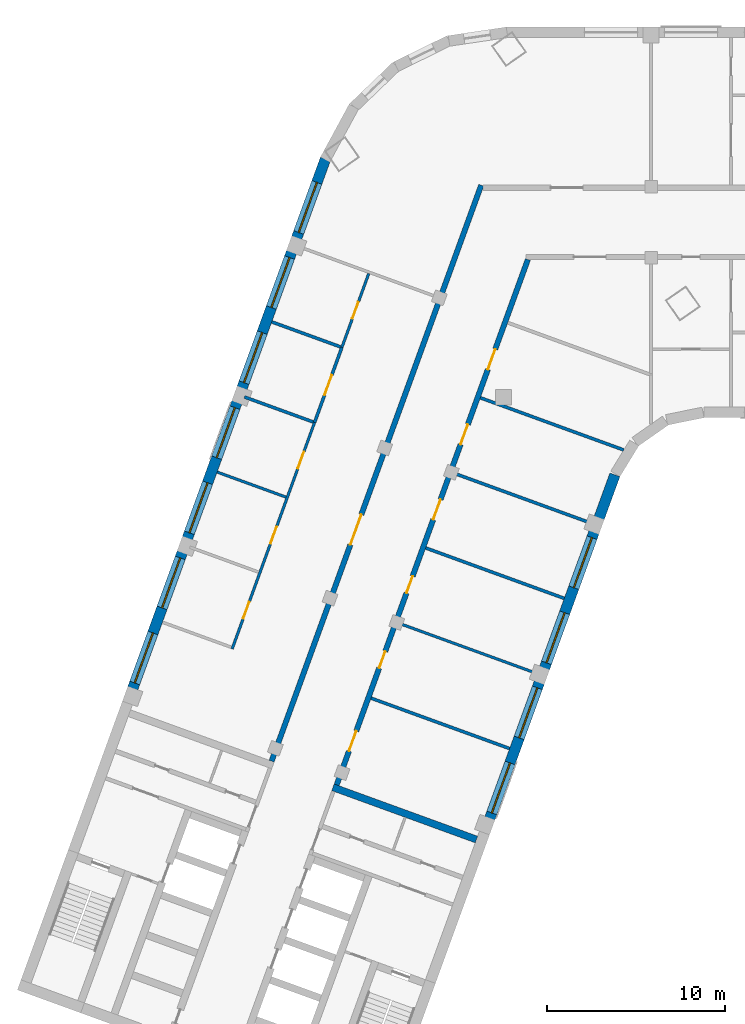
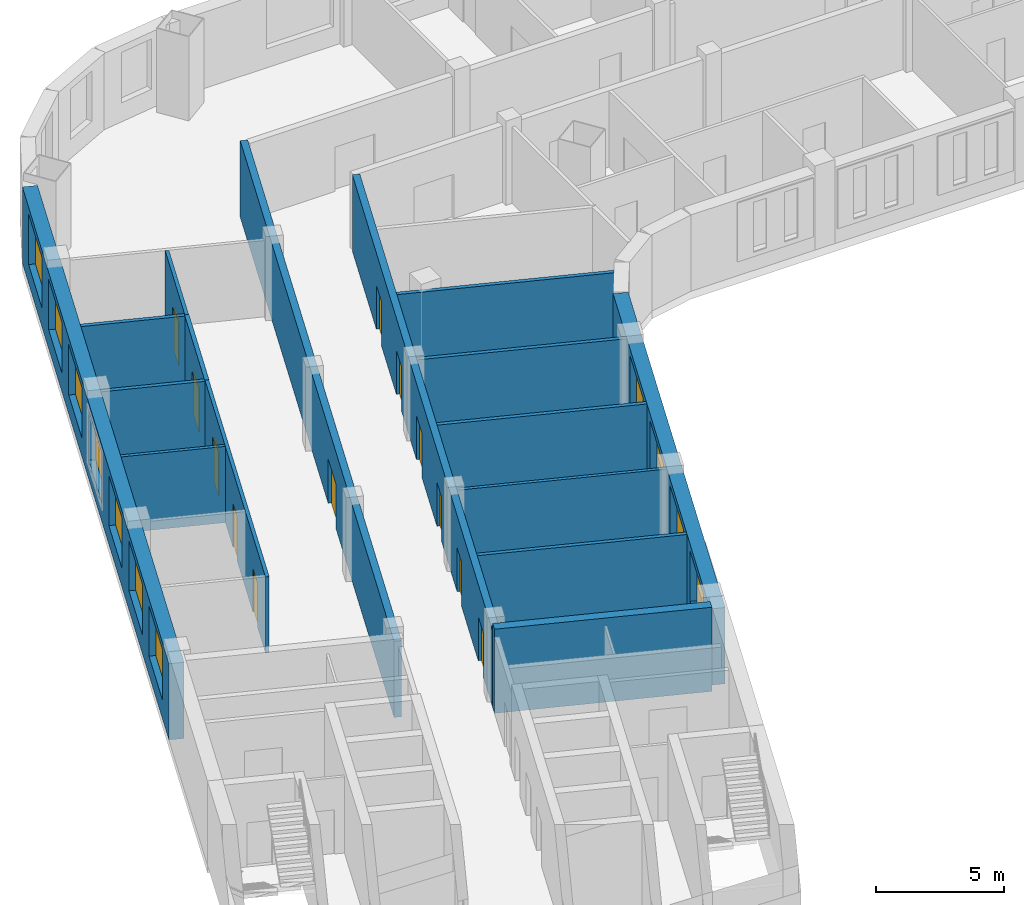
# One storey, part 3 of 12: 16 walls, 12 doors, 11 windows, 23 openings.
"""IFC4 building model written with IfcOpenShell, lengths in metres."""

import ifcopenshell
import ifcopenshell.guid

model = None  # the IFC model being written
_history = None  # IfcOwnerHistory: only IFC2X3 demands one
_inside = {}  # id of a spatial element -> (the spatial element, [elements in it])
_under = {}  # id of a project, library or spatial element -> (it, [spatial elements below it])
_declared = {}  # id of a project -> (the project, [libraries it declares])
_typed = {}  # id of a type object -> (the type object, [elements of that type])
_made_of = {}  # id of a material, layer set ... -> (it, [elements and type objects made of it])


def new_model(schema):
    """Start an empty IFC model of exactly this schema.

    Asked for "IFC4X3", IfcOpenShell would pick the latest addendum, in which some entities
    have other attributes; the version numbers below select the first issue.
    IFC2X3 requires an IfcOwnerHistory on every rooted entity: one is made here for all.
    """
    global model, _history
    if schema == "IFC4X3":
        model = ifcopenshell.file(schema_version=(4, 3, 0, 0))
    else:
        model = ifcopenshell.file(schema=schema)
    _inside.clear()
    _under.clear()
    _declared.clear()
    _typed.clear()
    _made_of.clear()
    _history = None
    if model.schema == "IFC2X3":
        org = make("IfcOrganization", Name="unknown")
        user = make(
            "IfcPersonAndOrganization",
            ThePerson=make("IfcPerson", FamilyName="unknown"),
            TheOrganization=org,
        )
        app = make(
            "IfcApplication",
            ApplicationDeveloper=org,
            Version="unknown",
            ApplicationFullName="unknown",
            ApplicationIdentifier="unknown",
        )
        _history = make(
            "IfcOwnerHistory",
            OwningUser=user,
            OwningApplication=app,
            ChangeAction="ADDED",
            CreationDate=0,
        )
    return model


def make(cls, **values):
    """One entity of the class cls with the attributes given. An attribute that is None is left unset."""
    return model.create_entity(
        cls, **{name: value for name, value in values.items() if value is not None}
    )


def rooted(cls, **values):
    """An entity with a GlobalId (a new one), such as an element, a storey or a relation."""
    return make(cls, GlobalId=ifcopenshell.guid.new(), OwnerHistory=_history, **values)


def si_unit(unit_type, name, prefix=None):
    """IfcSIUnit, for example si_unit("LENGTHUNIT", "METRE", prefix="MILLI")."""
    return make("IfcSIUnit", UnitType=unit_type, Prefix=prefix, Name=name)


def assignment(units):
    """IfcUnitAssignment: the units of a project."""
    return None if units is None else make("IfcUnitAssignment", Units=units)


def point(xyz):
    """IfcCartesianPoint."""
    return None if xyz is None else make("IfcCartesianPoint", Coordinates=xyz)


def direction(xyz):
    """IfcDirection."""
    return None if xyz is None else make("IfcDirection", DirectionRatios=xyz)


def frame(location, z_axis=None, x_axis=None):
    """IfcAxis2Placement3D, a coordinate frame: its origin and axes. An axis left out is left unset."""
    return make(
        "IfcAxis2Placement3D",
        Location=point(location),
        Axis=direction(z_axis),
        RefDirection=direction(x_axis),
    )


def frame_2d(location, x_axis=None):
    """IfcAxis2Placement2D, a coordinate frame in the plane: its origin and x axis."""
    return make(
        "IfcAxis2Placement2D", Location=point(location), RefDirection=direction(x_axis)
    )


def origin():
    """The frame at (0, 0, 0) with its axes left unset."""
    return frame((0.0, 0.0, 0.0))


def place(relative_to, where):
    """IfcLocalPlacement: puts the frame where relative to a parent placement (None: the world)."""
    return make(
        "IfcLocalPlacement", PlacementRelTo=relative_to, RelativePlacement=where
    )


def context(
    kind, dimensions, precision=None, world=None, true_north=None, identifier=None
):
    """IfcGeometricRepresentationContext, for example the 3D "Model" context."""
    return make(
        "IfcGeometricRepresentationContext",
        ContextIdentifier=identifier,
        ContextType=kind,
        CoordinateSpaceDimension=dimensions,
        Precision=precision,
        WorldCoordinateSystem=world,
        TrueNorth=true_north,
    )


def subcontext(parent, identifier, kind, view, scale=None):
    """IfcGeometricRepresentationSubContext, for example "Body" below "Model"."""
    return make(
        "IfcGeometricRepresentationSubContext",
        ContextIdentifier=identifier,
        ContextType=kind,
        ParentContext=parent,
        TargetScale=scale,
        TargetView=view,
    )


def project(units=None, contexts=None):
    """IfcProject with its units and contexts."""
    return rooted(
        "IfcProject",
        Name="project",
        RepresentationContexts=contexts,
        UnitsInContext=assignment(units),
    )


def spatial(cls, under=None, at=None, **own):
    """A site, building, storey or space (cls), placed at a placement, below another one or the project."""
    s = rooted(cls, ObjectPlacement=at, **own)
    if under is not None:
        _under.setdefault(under.id(), (under, []))[1].append(s)
    return s


def profile(cls, at=None, kind="AREA", **sizes):
    """A parametric profile (cls). Its sizes go by their IFC names, for example OverallWidth=200.0."""
    return make(cls, ProfileType=kind, Position=at, **sizes)


def rectangle(**sizes):
    """IfcRectangleProfileDef."""
    return profile("IfcRectangleProfileDef", **sizes)


def extrude(swept, where, along, depth):
    """IfcExtrudedAreaSolid: the profile swept, set in the frame where, extruded along a direction by depth."""
    return make(
        "IfcExtrudedAreaSolid",
        SweptArea=swept,
        Position=where,
        ExtrudedDirection=direction(along),
        Depth=depth,
    )


def shape(context_of_items, identifier, shape_type, items):
    """IfcShapeRepresentation: the items that make up one representation, for example the "Body"."""
    return make(
        "IfcShapeRepresentation",
        ContextOfItems=context_of_items,
        RepresentationIdentifier=identifier,
        RepresentationType=shape_type,
        Items=items,
    )


def material(Name=None, Category=None):
    """IfcMaterial."""
    return make("IfcMaterial", Name=Name, Category=Category)


def layer(
    of_material, thickness, ventilated=None, Name=None, Category=None, Priority=None
):
    """IfcMaterialLayer: one layer of a wall or slab, of a material (None: an air gap)."""
    return make(
        "IfcMaterialLayer",
        Material=of_material,
        LayerThickness=thickness,
        IsVentilated=ventilated,
        Name=Name,
        Category=Category,
        Priority=Priority,
    )


def layer_set(layers, Name=None):
    """IfcMaterialLayerSet."""
    return make("IfcMaterialLayerSet", MaterialLayers=layers, LayerSetName=Name)


def made_of(thing, what):
    """Note that an element or type object is made of a material, layer set ...; save() writes the relation."""
    if what is not None:
        _made_of.setdefault(what.id(), (what, []))[1].append(thing)
    return thing


def type_object(cls, material=None, **own):
    """A type object (cls), such as IfcWallType, which elements share."""
    return made_of(rooted(cls, **own), material)


def element(
    cls,
    number,
    at=None,
    inside=None,
    cuts=None,
    type_object=None,
    material=None,
    context=None,
    identifier="Body",
    shape_type=None,
    held_by="IfcProductDefinitionShape",
    body=None,
    shapes=None,
    **own,
):
    """One element of the class cls, such as IfcWall. Its Tag is "e" and its number.

    at: its placement. inside: the storey or other place that contains it. cuts: it is an
    opening in that element (IfcRelVoidsElement). A single representation is given by context,
    identifier, shape_type and body (its items); several are given by shapes. held_by: the class
    of the entity that holds the representations. save() writes the other relations.
    """
    e = rooted(cls, Tag="e%d" % number, ObjectPlacement=at, **own)
    if body is not None:
        shapes = [shape(context, identifier, shape_type, body)]
    if shapes is not None:
        e.Representation = make(held_by, Representations=shapes)
    if inside is not None:
        _inside.setdefault(inside.id(), (inside, []))[1].append(e)
    if cuts is not None:
        rooted(
            "IfcRelVoidsElement", RelatingBuildingElement=cuts, RelatedOpeningElement=e
        )
    if type_object is not None:
        _typed.setdefault(type_object.id(), (type_object, []))[1].append(e)
    return made_of(e, material)


def fill(opening, filler):
    """IfcRelFillsElement: the door or window that sits in an opening."""
    return rooted(
        "IfcRelFillsElement",
        RelatingOpeningElement=opening,
        RelatedBuildingElement=filler,
    )


def aggregate(whole, parts):
    """IfcRelAggregates: a whole, such as a stair, and the parts it consists of."""
    return rooted("IfcRelAggregates", RelatingObject=whole, RelatedObjects=parts)


def save(model, path):
    """Write the relations noted so far, then the file.

    IfcRelAggregates (storeys below a building ...), IfcRelContainedInSpatialStructure (elements
    in a storey), IfcRelDefinesByType, IfcRelAssociatesMaterial and IfcRelDeclares: one each for
    every whole, place, type object, material and project.
    """
    for whole, parts in _under.values():
        aggregate(whole, parts)
    for where, things in _inside.values():
        rooted(
            "IfcRelContainedInSpatialStructure",
            RelatedElements=things,
            RelatingStructure=where,
        )
    for kind, things in _typed.values():
        rooted("IfcRelDefinesByType", RelatedObjects=things, RelatingType=kind)
    for what, things in _made_of.values():
        rooted("IfcRelAssociatesMaterial", RelatedObjects=things, RelatingMaterial=what)
    for by, libraries in _declared.values():
        rooted("IfcRelDeclares", RelatingContext=by, RelatedDefinitions=libraries)
    model.write(path)


model = new_model("IFC4")

# Units and contexts
model_context = context("Model", 3, precision=1e-05, world=origin(), true_north=direction((0.0, 1.0)))
body_context = subcontext(model_context, "Body", "Model", "MODEL_VIEW")
ifc_project = project(units=[si_unit("LENGTHUNIT", "METRE"), si_unit("AREAUNIT", "SQUARE_METRE"), si_unit("VOLUMEUNIT", "CUBIC_METRE"), si_unit("PLANEANGLEUNIT", "RADIAN"), si_unit("MASSUNIT", "GRAM", prefix="KILO")], contexts=[model_context])

# Site, building, storey
site_placement = place(None, origin())
site = spatial("IfcSite", under=ifc_project, at=site_placement, CompositionType="ELEMENT")
building_placement = place(site_placement, origin())
building = spatial("IfcBuilding", under=site, at=building_placement, Name="Skarvind Civic Tower", CompositionType="ELEMENT")
storey_placement = place(building_placement, frame((0.0, 0.0, 63.5)))
storey = spatial("IfcBuildingStorey", under=building, at=storey_placement, Name="L14", CompositionType="ELEMENT", Elevation=63.5)

# Wall
ifc_material_1 = material(Name="Acoustic gypsum board on steel studs", Category="steel")
ifc_layer_1 = layer(ifc_material_1, 0.175048828125)
ifc_layer_set_1 = layer_set([ifc_layer_1], Name="ACOUSTIC MEETING-ROOM PARTITION 175")
wall_type_1 = type_object("IfcWallType", Name="ACOUSTIC MEETING-ROOM PARTITION 175", PredefinedType="PARTITIONING", material=ifc_layer_set_1)
wall_1_placement = place(storey_placement, frame((31.35302734375, 118.166015625, 0.0), z_axis=(0.0, 0.0, 1.0), x_axis=(0.939750086456, -0.341862216405, 0.0)))
element("IfcWall", 1, at=wall_1_placement, inside=storey, type_object=wall_type_1, Name="Partition 14.005", PredefinedType="PARTITIONING", context=body_context, shape_type="SweptSolid", body=[
    extrude(rectangle(XDim=4.11279296875, YDim=0.175048828125, at=frame_2d((2.056396484375, 0.0))), origin(), (0.0, 0.0, 1.0), 3.625),
])

# Wall, opening, door
wall_2_placement = place(storey_placement, frame((36.839111328125, 120.958984375, 0.0), z_axis=(0.0, 0.0, 1.0), x_axis=(-0.341986974999, -0.939704692407, 0.0)))
wall_2 = element("IfcWall", 2, at=wall_2_placement, inside=storey, type_object=wall_type_1, Name="Partition 14.008", PredefinedType="PARTITIONING", context=body_context, shape_type="SweptSolid", body=[
    extrude(rectangle(XDim=4.500244140625, YDim=0.175048828125, at=frame_2d((2.25, 0.0))), origin(), (0.0, 0.0, 1.0), 3.625),
])
opening_1_placement = place(wall_2_placement, frame((1.650146484375, 0.0, 0.0)))
opening_1 = element("IfcOpeningElement", 3, at=opening_1_placement, cuts=wall_2, Name="Opening L14-D023", PredefinedType="OPENING", context=body_context, shape_type="SweptSolid", body=[
    extrude(rectangle(XDim=1.199951171875, YDim=2.10009765625, at=frame_2d((0.60009765625, 1.050048828125))), frame((0.0, 0.097412109375, 0.0), z_axis=(0.0, -1.0, 0.0), x_axis=(1.0, 0.0, 0.0)), (0.0, 0.0, 1.0), 0.195068359375),
])
ifc_material_2 = material(Name="Timber door leaf", Category="wood")
door_type_1 = type_object("IfcDoorType", Name="DOOR 1200X2100 DOUBLE TIMBER", OperationType="NOTDEFINED", PredefinedType="DOOR", material=ifc_material_2)
door_1_placement = place(opening_1_placement, origin())
door_1 = element("IfcDoor", 4, at=door_1_placement, inside=storey, type_object=door_type_1, Name="Door L14-D023", OperationType="DOUBLE_DOOR_SINGLE_SWING", OverallHeight=2.10009765625, OverallWidth=1.199951171875, PredefinedType="DOOR", context=body_context, shape_type="SweptSolid", body=[
    extrude(rectangle(XDim=1.199951171875, YDim=2.10009765625, at=frame_2d((0.60009765625, 1.050048828125))), frame((0.0, 0.02490234375, 0.0), z_axis=(0.0, -1.0, 0.0), x_axis=(1.0, 0.0, 0.0)), (0.0, 0.0, 1.0), 0.050048828125),
])
fill(opening_1, door_1)

# Walls
wall_3_placement = place(storey_placement, frame((36.757080078125, 120.989013671875, 0.0), z_axis=(0.0, 0.0, 1.0), x_axis=(-0.939750086456, 0.341862216405, 0.0)))
element("IfcWall", 5, at=wall_3_placement, inside=storey, type_object=wall_type_1, Name="Partition 14.009", PredefinedType="PARTITIONING", context=body_context, shape_type="SweptSolid", body=[
    extrude(rectangle(XDim=4.11279296875, YDim=0.175048828125, at=frame_2d((2.056396484375, 0.0))), origin(), (0.0, 0.0, 1.0), 3.625),
])
wall_4_placement = place(storey_placement, frame((38.48193359375, 101.2060546875, 0.0), z_axis=(0.0, 0.0, 1.0), x_axis=(0.939687752599, -0.342033518263, 0.0)))
element("IfcWall", 6, at=wall_4_placement, inside=storey, type_object=wall_type_1, Name="Partition 14.011", PredefinedType="PARTITIONING", context=body_context, shape_type="SweptSolid", body=[
    extrude(rectangle(XDim=8.30078125, YDim=0.175048828125, at=frame_2d((4.150390625, 0.0))), origin(), (0.0, 0.0, 1.0), 3.625),
])
wall_5_placement = place(storey_placement, frame((41.56103515625, 109.6630859375, 0.0), z_axis=(0.0, 0.0, 1.0), x_axis=(0.939673986983, -0.342071334939, 0.0)))
element("IfcWall", 7, at=wall_5_placement, inside=storey, type_object=wall_type_1, Name="Partition 14.013", PredefinedType="PARTITIONING", context=body_context, shape_type="SweptSolid", body=[
    extrude(rectangle(XDim=8.2998046875, YDim=0.175048828125, at=frame_2d((4.14990234375, 0.0))), origin(), (0.0, 0.0, 1.0), 3.625),
])
wall_6_placement = place(storey_placement, frame((43.10009765625, 113.89111328125, 0.0), z_axis=(0.0, 0.0, 1.0), x_axis=(0.939670544866, -0.342080790328, 0.0)))
element("IfcWall", 8, at=wall_6_placement, inside=storey, type_object=wall_type_1, Name="Partition 14.014", PredefinedType="PARTITIONING", context=body_context, shape_type="SweptSolid", body=[
    extrude(rectangle(XDim=8.299560546875, YDim=0.175048828125, at=frame_2d((4.14990234375, 0.0))), origin(), (0.0, 0.0, 1.0), 3.625),
])
wall_7_placement = place(storey_placement, frame((44.638916015625, 118.1201171875, 0.0), z_axis=(0.0, 0.0, 1.0), x_axis=(0.939669707102, -0.342083091593, 0.0)))
element("IfcWall", 9, at=wall_7_placement, inside=storey, type_object=wall_type_1, Name="Partition 14.015", PredefinedType="PARTITIONING", context=body_context, shape_type="SweptSolid", body=[
    extrude(rectangle(XDim=8.58935546875, YDim=0.175048828125, at=frame_2d((4.294677734375, 0.0))), origin(), (0.0, 0.0, 1.0), 3.625),
])

# Wall, opening, door
ifc_material_3 = material(Name="Fire-rated gypsum board on steel studs", Category="steel")
ifc_layer_2 = layer(ifc_material_3, 0.300048828125)
ifc_layer_set_2 = layer_set([ifc_layer_2], Name="CORRIDOR WALL 300")
wall_type_2 = type_object("IfcWallType", Name="CORRIDOR WALL 300", PredefinedType="PARTITIONING", material=ifc_layer_set_2)
wall_8_placement = place(storey_placement, frame((32.881103515625, 97.656982421875, 0.0), z_axis=(0.0, 0.0, 1.0), x_axis=(0.342017360004, 0.939693633828, 0.0)))
wall_8 = element("IfcWall", 10, at=wall_8_placement, inside=storey, type_object=wall_type_2, Name="Partition 14.006", PredefinedType="PARTITIONING", context=body_context, shape_type="SweptSolid", body=[
    extrude(rectangle(XDim=34.515625, YDim=0.300048828125, at=frame_2d((17.2578125, 0.0))), origin(), (0.0, 0.0, 1.0), 3.625),
])
opening_2_placement = place(wall_8_placement, frame((12.97509765625, 0.0, 0.0)))
opening_2 = element("IfcOpeningElement", 11, at=opening_2_placement, cuts=wall_8, Name="Opening L14-D025", PredefinedType="OPENING", context=body_context, shape_type="SweptSolid", body=[
    extrude(rectangle(XDim=1.800048828125, YDim=2.10009765625, at=frame_2d((0.89990234375, 1.050048828125))), frame((0.0, 0.159912109375, 0.0), z_axis=(0.0, -1.0, 0.0), x_axis=(1.0, 0.0, 0.0)), (0.0, 0.0, 1.0), 0.320068359375),
])
ifc_material_4 = material(Name="Fire-rated timber door leaf", Category="wood")
door_type_2 = type_object("IfcDoorType", Name="FD4 1800x2100", OperationType="NOTDEFINED", PredefinedType="DOOR", material=ifc_material_4)
door_2_placement = place(opening_2_placement, origin())
door_2 = element("IfcDoor", 12, at=door_2_placement, inside=storey, type_object=door_type_2, Name="Door L14-D025", OperationType="DOUBLE_DOOR_SINGLE_SWING", OverallHeight=2.10009765625, OverallWidth=1.800048828125, PredefinedType="DOOR", context=body_context, shape_type="SweptSolid", body=[
    extrude(rectangle(XDim=1.800048828125, YDim=2.10009765625, at=frame_2d((0.89990234375, 1.050048828125))), frame((0.0, 0.02490234375, 0.0), z_axis=(0.0, -1.0, 0.0), x_axis=(1.0, 0.0, 0.0)), (0.0, 0.0, 1.0), 0.050048828125),
])
fill(opening_2, door_2)

# Wall, openings, doors
wall_9_placement = place(storey_placement, frame((47.31396484375, 125.908935546875, 0.0), z_axis=(0.0, 0.0, 1.0), x_axis=(-0.342010770371, -0.939696032209, 0.0)))
wall_9 = element("IfcWall", 13, at=wall_9_placement, inside=storey, type_object=wall_type_2, Name="Partition 14.017", PredefinedType="PARTITIONING", context=body_context, shape_type="SweptSolid", body=[
    extrude(rectangle(XDim=31.484619140625, YDim=0.300048828125, at=frame_2d((15.7421875, 0.0))), origin(), (0.0, 0.0, 1.0), 3.625),
])
opening_3_placement = place(wall_9_placement, frame((28.25927734375, 0.0, 0.0)))
opening_3 = element("IfcOpeningElement", 14, at=opening_3_placement, cuts=wall_9, Name="Opening L14-D026", PredefinedType="OPENING", context=body_context, shape_type="SweptSolid", body=[
    extrude(rectangle(XDim=1.199951171875, YDim=2.10009765625, at=frame_2d((0.60009765625, 1.050048828125))), frame((0.0, 0.159912109375, 0.0), z_axis=(0.0, -1.0, 0.0), x_axis=(1.0, 0.0, 0.0)), (0.0, 0.0, 1.0), 0.320068359375),
])
opening_4_placement = place(wall_9_placement, frame((23.484375, 0.0, 0.0)))
opening_4 = element("IfcOpeningElement", 15, at=opening_4_placement, cuts=wall_9, Name="Opening L14-D027", PredefinedType="OPENING", context=body_context, shape_type="SweptSolid", body=[
    extrude(rectangle(XDim=1.0, YDim=2.10009765625, at=frame_2d((0.5, 1.050048828125))), frame((0.0, 0.159912109375, 0.0), z_axis=(0.0, -1.0, 0.0), x_axis=(1.0, 0.0, 0.0)), (0.0, 0.0, 1.0), 0.320068359375),
])
opening_5_placement = place(wall_9_placement, frame((18.984375, 0.0, 0.0)))
opening_5 = element("IfcOpeningElement", 16, at=opening_5_placement, cuts=wall_9, Name="Opening L14-D028", PredefinedType="OPENING", context=body_context, shape_type="SweptSolid", body=[
    extrude(rectangle(XDim=1.0, YDim=2.10009765625, at=frame_2d((0.5, 1.050048828125))), frame((0.0, 0.159912109375, 0.0), z_axis=(0.0, -1.0, 0.0), x_axis=(1.0, 0.0, 0.0)), (0.0, 0.0, 1.0), 0.320068359375),
])
opening_6_placement = place(wall_9_placement, frame((14.384521484375, 0.0, 0.0)))
opening_6 = element("IfcOpeningElement", 17, at=opening_6_placement, cuts=wall_9, Name="Opening L14-D029", PredefinedType="OPENING", context=body_context, shape_type="SweptSolid", body=[
    extrude(rectangle(XDim=1.199951171875, YDim=2.10009765625, at=frame_2d((0.60009765625, 1.050048828125))), frame((0.0, 0.159912109375, 0.0), z_axis=(0.0, -1.0, 0.0), x_axis=(1.0, 0.0, 0.0)), (0.0, 0.0, 1.0), 0.320068359375),
])
opening_7_placement = place(wall_9_placement, frame((9.884521484375, 0.0, 0.0)))
opening_7 = element("IfcOpeningElement", 18, at=opening_7_placement, cuts=wall_9, Name="Opening L14-D030", PredefinedType="OPENING", context=body_context, shape_type="SweptSolid", body=[
    extrude(rectangle(XDim=1.199951171875, YDim=2.10009765625, at=frame_2d((0.60009765625, 1.050048828125))), frame((0.0, 0.159912109375, 0.0), z_axis=(0.0, -1.0, 0.0), x_axis=(1.0, 0.0, 0.0)), (0.0, 0.0, 1.0), 0.320068359375),
])
opening_8_placement = place(wall_9_placement, frame((5.38427734375, 0.0, 0.0)))
opening_8 = element("IfcOpeningElement", 19, at=opening_8_placement, cuts=wall_9, Name="Opening L14-D031", PredefinedType="OPENING", context=body_context, shape_type="SweptSolid", body=[
    extrude(rectangle(XDim=1.199951171875, YDim=2.10009765625, at=frame_2d((0.60009765625, 1.050048828125))), frame((0.0, 0.159912109375, 0.0), z_axis=(0.0, -1.0, 0.0), x_axis=(1.0, 0.0, 0.0)), (0.0, 0.0, 1.0), 0.320068359375),
])
door_type_3 = type_object("IfcDoorType", Name="FD1 1000x2100", OperationType="NOTDEFINED", PredefinedType="DOOR", material=ifc_material_4)
door_3_placement = place(opening_4_placement, origin())
door_3 = element("IfcDoor", 20, at=door_3_placement, inside=storey, type_object=door_type_3, Name="Door L14-D027", OperationType="SINGLE_SWING_LEFT", OverallHeight=2.10009765625, OverallWidth=1.0, PredefinedType="DOOR", context=body_context, shape_type="SweptSolid", body=[
    extrude(rectangle(XDim=1.0, YDim=2.10009765625, at=frame_2d((0.5, 1.050048828125))), frame((0.0, 0.02490234375, 0.0), z_axis=(0.0, -1.0, 0.0), x_axis=(1.0, 0.0, 0.0)), (0.0, 0.0, 1.0), 0.050048828125),
])
fill(opening_4, door_3)
door_4_placement = place(opening_5_placement, origin())
door_4 = element("IfcDoor", 21, at=door_4_placement, inside=storey, type_object=door_type_3, Name="Door L14-D028", OperationType="SINGLE_SWING_LEFT", OverallHeight=2.10009765625, OverallWidth=1.0, PredefinedType="DOOR", context=body_context, shape_type="SweptSolid", body=[
    extrude(rectangle(XDim=1.0, YDim=2.10009765625, at=frame_2d((0.5, 1.050048828125))), frame((0.0, 0.02490234375, 0.0), z_axis=(0.0, -1.0, 0.0), x_axis=(1.0, 0.0, 0.0)), (0.0, 0.0, 1.0), 0.050048828125),
])
fill(opening_5, door_4)
door_type_4 = type_object("IfcDoorType", Name="FD6 1200x2100 DOUBLE", OperationType="NOTDEFINED", PredefinedType="DOOR", material=ifc_material_4)
door_5_placement = place(opening_3_placement, origin())
door_5 = element("IfcDoor", 22, at=door_5_placement, inside=storey, type_object=door_type_4, Name="Door L14-D026", OperationType="DOUBLE_DOOR_SINGLE_SWING", OverallHeight=2.10009765625, OverallWidth=1.199951171875, PredefinedType="DOOR", context=body_context, shape_type="SweptSolid", body=[
    extrude(rectangle(XDim=1.199951171875, YDim=2.10009765625, at=frame_2d((0.60009765625, 1.050048828125))), frame((0.0, 0.02490234375, 0.0), z_axis=(0.0, -1.0, 0.0), x_axis=(1.0, 0.0, 0.0)), (0.0, 0.0, 1.0), 0.050048828125),
])
fill(opening_3, door_5)
door_6_placement = place(opening_6_placement, origin())
door_6 = element("IfcDoor", 23, at=door_6_placement, inside=storey, type_object=door_type_4, Name="Door L14-D029", OperationType="DOUBLE_DOOR_SINGLE_SWING", OverallHeight=2.10009765625, OverallWidth=1.199951171875, PredefinedType="DOOR", context=body_context, shape_type="SweptSolid", body=[
    extrude(rectangle(XDim=1.199951171875, YDim=2.10009765625, at=frame_2d((0.60009765625, 1.050048828125))), frame((0.0, 0.02490234375, 0.0), z_axis=(0.0, -1.0, 0.0), x_axis=(1.0, 0.0, 0.0)), (0.0, 0.0, 1.0), 0.050048828125),
])
fill(opening_6, door_6)
door_7_placement = place(opening_7_placement, origin())
door_7 = element("IfcDoor", 24, at=door_7_placement, inside=storey, type_object=door_type_4, Name="Door L14-D030", OperationType="DOUBLE_DOOR_SINGLE_SWING", OverallHeight=2.10009765625, OverallWidth=1.199951171875, PredefinedType="DOOR", context=body_context, shape_type="SweptSolid", body=[
    extrude(rectangle(XDim=1.199951171875, YDim=2.10009765625, at=frame_2d((0.60009765625, 1.050048828125))), frame((0.0, 0.02490234375, 0.0), z_axis=(0.0, -1.0, 0.0), x_axis=(1.0, 0.0, 0.0)), (0.0, 0.0, 1.0), 0.050048828125),
])
fill(opening_7, door_7)
door_8_placement = place(opening_8_placement, origin())
door_8 = element("IfcDoor", 25, at=door_8_placement, inside=storey, type_object=door_type_4, Name="Door L14-D031", OperationType="DOUBLE_DOOR_SINGLE_SWING", OverallHeight=2.10009765625, OverallWidth=1.199951171875, PredefinedType="DOOR", context=body_context, shape_type="SweptSolid", body=[
    extrude(rectangle(XDim=1.199951171875, YDim=2.10009765625, at=frame_2d((0.60009765625, 1.050048828125))), frame((0.0, 0.02490234375, 0.0), z_axis=(0.0, -1.0, 0.0), x_axis=(1.0, 0.0, 0.0)), (0.0, 0.0, 1.0), 0.050048828125),
])
fill(opening_8, door_8)

# Walls
ifc_material_5 = material(Name="Concrete C80", Category="concrete")
ifc_layer_3 = layer(ifc_material_5, 0.39990234375)
ifc_layer_set_3 = layer_set([ifc_layer_3], Name="Core wall 400 C80")
wall_type_3 = type_object("IfcWallType", Name="Core wall 400 C80", PredefinedType="SHEAR", material=ifc_layer_set_3)
wall_10_placement = place(storey_placement, frame((44.417724609375, 93.2451171875, 0.0), z_axis=(0.0, 0.0, 1.0), x_axis=(-0.93969060187, 0.342025690201, 0.0)))
element("IfcWall", 26, at=wall_10_placement, inside=storey, type_object=wall_type_3, Name="Core wall C2 south inner face L14", PredefinedType="SHEAR", context=body_context, shape_type="SweptSolid", body=[
    extrude(rectangle(XDim=8.599853515625, YDim=0.39990234375, at=frame_2d((4.2998046875, 0.0))), origin(), (0.0, 0.0, 1.0), 4.0),
])
ifc_material_6 = material(Name="Plasterboard partition on steel studs", Category="steel")
ifc_layer_4 = layer(ifc_material_6, 0.14990234375)
ifc_layer_set_4 = layer_set([ifc_layer_4], Name="PARTITION 150")
wall_type_4 = type_object("IfcWallType", Name="PARTITION 150", PredefinedType="PARTITIONING", material=ifc_layer_set_4)
wall_11_placement = place(storey_placement, frame((29.81396484375, 113.93798828125, 0.0), z_axis=(0.0, 0.0, 1.0), x_axis=(0.93970873465, -0.341975867603, 0.0)))
element("IfcWall", 27, at=wall_11_placement, inside=storey, type_object=wall_type_4, Name="Partition 14.003", PredefinedType="PARTITIONING", context=body_context, shape_type="SweptSolid", body=[
    extrude(rectangle(XDim=4.125732421875, YDim=0.14990234375, at=frame_2d((2.06298828125, 0.0))), origin(), (0.0, 0.0, 1.0), 3.625),
])

# Wall, openings, doors
wall_12_placement = place(storey_placement, frame((35.300048828125, 116.72998046875, 0.0), z_axis=(0.0, 0.0, 1.0), x_axis=(-0.342040522051, -0.939685203286, 0.0)))
wall_12 = element("IfcWall", 28, at=wall_12_placement, inside=storey, type_object=wall_type_4, Name="Partition 14.004", PredefinedType="PARTITIONING", context=body_context, shape_type="SweptSolid", body=[
    extrude(rectangle(XDim=13.57470703125, YDim=0.14990234375, at=frame_2d((6.787353515625, 0.0))), origin(), (0.0, 0.0, 1.0), 3.625),
])
opening_9_placement = place(wall_12_placement, frame((10.75, 0.0, 0.0)))
opening_9 = element("IfcOpeningElement", 29, at=opening_9_placement, cuts=wall_12, Name="Opening L14-D020", PredefinedType="OPENING", context=body_context, shape_type="SweptSolid", body=[
    extrude(rectangle(XDim=1.0, YDim=2.10009765625, at=frame_2d((0.5, 1.050048828125))), frame((0.0, 0.0849609375, 0.0), z_axis=(0.0, -1.0, 0.0), x_axis=(1.0, 0.0, 0.0)), (0.0, 0.0, 1.0), 0.169921875),
])
opening_10_placement = place(wall_12_placement, frame((6.25, 0.0, 0.0)))
opening_10 = element("IfcOpeningElement", 30, at=opening_10_placement, cuts=wall_12, Name="Opening L14-D021", PredefinedType="OPENING", context=body_context, shape_type="SweptSolid", body=[
    extrude(rectangle(XDim=1.0, YDim=2.10009765625, at=frame_2d((0.5, 1.050048828125))), frame((0.0, 0.0849609375, 0.0), z_axis=(0.0, -1.0, 0.0), x_axis=(1.0, 0.0, 0.0)), (0.0, 0.0, 1.0), 0.169921875),
])
opening_11_placement = place(wall_12_placement, frame((1.750244140625, 0.0, 0.0)))
opening_11 = element("IfcOpeningElement", 31, at=opening_11_placement, cuts=wall_12, Name="Opening L14-D022", PredefinedType="OPENING", context=body_context, shape_type="SweptSolid", body=[
    extrude(rectangle(XDim=1.0, YDim=2.10009765625, at=frame_2d((0.5, 1.050048828125))), frame((0.0, 0.0849609375, 0.0), z_axis=(0.0, -1.0, 0.0), x_axis=(1.0, 0.0, 0.0)), (0.0, 0.0, 1.0), 0.169921875),
])
door_type_5 = type_object("IfcDoorType", Name="D1 1000x2100", OperationType="NOTDEFINED", PredefinedType="DOOR", material=ifc_material_2)
door_9_placement = place(opening_9_placement, origin())
door_9 = element("IfcDoor", 32, at=door_9_placement, inside=storey, type_object=door_type_5, Name="Door L14-D020", OperationType="SINGLE_SWING_LEFT", OverallHeight=2.10009765625, OverallWidth=1.0, PredefinedType="DOOR", context=body_context, shape_type="SweptSolid", body=[
    extrude(rectangle(XDim=1.0, YDim=2.10009765625, at=frame_2d((0.5, 1.050048828125))), frame((0.0, 0.02490234375, 0.0), z_axis=(0.0, -1.0, 0.0), x_axis=(1.0, 0.0, 0.0)), (0.0, 0.0, 1.0), 0.050048828125),
])
fill(opening_9, door_9)
door_10_placement = place(opening_10_placement, origin())
door_10 = element("IfcDoor", 33, at=door_10_placement, inside=storey, type_object=door_type_5, Name="Door L14-D021", OperationType="SINGLE_SWING_LEFT", OverallHeight=2.10009765625, OverallWidth=1.0, PredefinedType="DOOR", context=body_context, shape_type="SweptSolid", body=[
    extrude(rectangle(XDim=1.0, YDim=2.10009765625, at=frame_2d((0.5, 1.050048828125))), frame((0.0, 0.02490234375, 0.0), z_axis=(0.0, -1.0, 0.0), x_axis=(1.0, 0.0, 0.0)), (0.0, 0.0, 1.0), 0.050048828125),
])
fill(opening_10, door_10)
door_11_placement = place(opening_11_placement, origin())
door_11 = element("IfcDoor", 34, at=door_11_placement, inside=storey, type_object=door_type_5, Name="Door L14-D022", OperationType="SINGLE_SWING_LEFT", OverallHeight=2.10009765625, OverallWidth=1.0, PredefinedType="DOOR", context=body_context, shape_type="SweptSolid", body=[
    extrude(rectangle(XDim=1.0, YDim=2.10009765625, at=frame_2d((0.5, 1.050048828125))), frame((0.0, 0.02490234375, 0.0), z_axis=(0.0, -1.0, 0.0), x_axis=(1.0, 0.0, 0.0)), (0.0, 0.0, 1.0), 0.050048828125),
])
fill(opening_11, door_11)

# Wall, opening, door
wall_13_placement = place(storey_placement, frame((38.35205078125, 125.116943359375, 0.0), z_axis=(0.0, 0.0, 1.0), x_axis=(-0.34193355862, -0.939724130524, 0.0)))
wall_13 = element("IfcWall", 35, at=wall_13_placement, inside=storey, type_object=wall_type_4, Name="Partition 14.010", PredefinedType="PARTITIONING", context=body_context, shape_type="SweptSolid", body=[
    extrude(rectangle(XDim=4.424560546875, YDim=0.14990234375, at=frame_2d((2.21240234375, 0.0))), origin(), (0.0, 0.0, 1.0), 3.625),
])
opening_12_placement = place(wall_13_placement, frame((1.702392578125, 0.0, 0.0)))
opening_12 = element("IfcOpeningElement", 36, at=opening_12_placement, cuts=wall_13, Name="Opening L14-D024", PredefinedType="OPENING", context=body_context, shape_type="SweptSolid", body=[
    extrude(rectangle(XDim=1.0, YDim=2.10009765625, at=frame_2d((0.5, 1.050048828125))), frame((0.0, 0.0849609375, 0.0), z_axis=(0.0, -1.0, 0.0), x_axis=(1.0, 0.0, 0.0)), (0.0, 0.0, 1.0), 0.169921875),
])
door_12_placement = place(opening_12_placement, origin())
door_12 = element("IfcDoor", 37, at=door_12_placement, inside=storey, type_object=door_type_5, Name="Door L14-D024", OperationType="SINGLE_SWING_RIGHT", OverallHeight=2.10009765625, OverallWidth=1.0, PredefinedType="DOOR", context=body_context, shape_type="SweptSolid", body=[
    extrude(rectangle(XDim=1.0, YDim=2.10009765625, at=frame_2d((0.5, 1.050048828125))), frame((0.0, 0.02490234375, 0.0), z_axis=(0.0, -1.0, 0.0), x_axis=(1.0, 0.0, 0.0)), (0.0, 0.0, 1.0), 0.050048828125),
])
fill(opening_12, door_12)

# Wall
wall_14_placement = place(storey_placement, frame((40.02099609375, 105.43408203125, 0.0), z_axis=(0.0, 0.0, 1.0), x_axis=(0.939687752599, -0.342033518263, 0.0)))
element("IfcWall", 38, at=wall_14_placement, inside=storey, type_object=wall_type_4, Name="Partition 14.012", PredefinedType="PARTITIONING", context=body_context, shape_type="SweptSolid", body=[
    extrude(rectangle(XDim=8.30078125, YDim=0.14990234375, at=frame_2d((4.150390625, 0.0))), origin(), (0.0, 0.0, 1.0), 3.625),
])

# Wall, openings, windows
ifc_material_7 = material(Name="Limestone masonry cladding on insulated backing", Category="masonry")
ifc_layer_5 = layer(ifc_material_7, 0.60009765625)
ifc_layer_set_5 = layer_set([ifc_layer_5], Name="WX1 STONE FACADE WALL 600")
wall_type_5 = type_object("IfcWallType", Name="WX1 STONE FACADE WALL 600", PredefinedType="SOLIDWALL", material=ifc_layer_set_5)
wall_15_placement = place(storey_placement, frame((52.212158203125, 113.78271484375, 0.0), z_axis=(0.0, 0.0, 1.0), x_axis=(-0.34202521188, -0.939690775968, 0.0)))
wall_15 = element("IfcWall", 39, at=wall_15_placement, inside=storey, type_object=wall_type_5, Name="STONE FACADE WALL", PredefinedType="SOLIDWALL", context=body_context, shape_type="SweptSolid", body=[
    extrude(rectangle(XDim=21.744873046875, YDim=0.60009765625, at=frame_2d((10.87255859375, 0.0))), origin(), (0.0, 0.0, 1.0), 3.625),
])
opening_13_placement = place(wall_15_placement, frame((3.764892578125, 0.0, 0.89990234375)))
opening_13 = element("IfcOpeningElement", 40, at=opening_13_placement, cuts=wall_15, Name="Opening WN1", PredefinedType="OPENING", context=body_context, shape_type="SweptSolid", body=[
    extrude(rectangle(XDim=3.0, YDim=2.39990234375, at=frame_2d((1.5, 1.199951171875))), frame((0.0, 0.31005859375, 0.0), z_axis=(0.0, -1.0, 0.0), x_axis=(1.0, 0.0, 0.0)), (0.0, 0.0, 1.0), 0.6201171875),
])
opening_14_placement = place(wall_15_placement, frame((8.264892578125, 0.0, 0.89990234375)))
opening_14 = element("IfcOpeningElement", 41, at=opening_14_placement, cuts=wall_15, Name="Opening WN1", PredefinedType="OPENING", context=body_context, shape_type="SweptSolid", body=[
    extrude(rectangle(XDim=3.0, YDim=2.39990234375, at=frame_2d((1.5, 1.199951171875))), frame((0.0, 0.31005859375, 0.0), z_axis=(0.0, -1.0, 0.0), x_axis=(1.0, 0.0, 0.0)), (0.0, 0.0, 1.0), 0.6201171875),
])
opening_15_placement = place(wall_15_placement, frame((12.764892578125, 0.0, 0.89990234375)))
opening_15 = element("IfcOpeningElement", 42, at=opening_15_placement, cuts=wall_15, Name="Opening WN1", PredefinedType="OPENING", context=body_context, shape_type="SweptSolid", body=[
    extrude(rectangle(XDim=3.0, YDim=2.39990234375, at=frame_2d((1.5, 1.199951171875))), frame((0.0, 0.31005859375, 0.0), z_axis=(0.0, -1.0, 0.0), x_axis=(1.0, 0.0, 0.0)), (0.0, 0.0, 1.0), 0.6201171875),
])
opening_16_placement = place(wall_15_placement, frame((17.264892578125, 0.0, 0.89990234375)))
opening_16 = element("IfcOpeningElement", 43, at=opening_16_placement, cuts=wall_15, Name="Opening WN1", PredefinedType="OPENING", context=body_context, shape_type="SweptSolid", body=[
    extrude(rectangle(XDim=3.0, YDim=2.39990234375, at=frame_2d((1.5, 1.199951171875))), frame((0.0, 0.31005859375, 0.0), z_axis=(0.0, -1.0, 0.0), x_axis=(1.0, 0.0, 0.0)), (0.0, 0.0, 1.0), 0.6201171875),
])
ifc_material_8 = material(Name="Timber frame, double glazing, timber-lined reveal", Category="wood")
window_type = type_object("IfcWindowType", Name="WN1 PUNCHED STONE WINDOW 3000 x 2400", PartitioningType="SINGLE_PANEL", PredefinedType="WINDOW", material=ifc_material_8)
window_1_placement = place(opening_13_placement, origin())
window_1 = element("IfcWindow", 44, at=window_1_placement, inside=storey, type_object=window_type, Name="WN1 WINDOW", OverallHeight=2.39990234375, OverallWidth=3.0, PartitioningType="SINGLE_PANEL", PredefinedType="WINDOW", context=body_context, shape_type="SweptSolid", body=[
    extrude(rectangle(XDim=3.0, YDim=2.39990234375, at=frame_2d((1.5, 1.199951171875))), frame((0.0, 0.030029296875, 0.0), z_axis=(0.0, -1.0, 0.0), x_axis=(1.0, 0.0, 0.0)), (0.0, 0.0, 1.0), 0.06005859375),
])
fill(opening_13, window_1)
window_2_placement = place(opening_14_placement, origin())
window_2 = element("IfcWindow", 45, at=window_2_placement, inside=storey, type_object=window_type, Name="WN1 WINDOW", OverallHeight=2.39990234375, OverallWidth=3.0, PartitioningType="SINGLE_PANEL", PredefinedType="WINDOW", context=body_context, shape_type="SweptSolid", body=[
    extrude(rectangle(XDim=3.0, YDim=2.39990234375, at=frame_2d((1.5, 1.199951171875))), frame((0.0, 0.030029296875, 0.0), z_axis=(0.0, -1.0, 0.0), x_axis=(1.0, 0.0, 0.0)), (0.0, 0.0, 1.0), 0.06005859375),
])
fill(opening_14, window_2)
window_3_placement = place(opening_15_placement, origin())
window_3 = element("IfcWindow", 46, at=window_3_placement, inside=storey, type_object=window_type, Name="WN1 WINDOW", OverallHeight=2.39990234375, OverallWidth=3.0, PartitioningType="SINGLE_PANEL", PredefinedType="WINDOW", context=body_context, shape_type="SweptSolid", body=[
    extrude(rectangle(XDim=3.0, YDim=2.39990234375, at=frame_2d((1.5, 1.199951171875))), frame((0.0, 0.030029296875, 0.0), z_axis=(0.0, -1.0, 0.0), x_axis=(1.0, 0.0, 0.0)), (0.0, 0.0, 1.0), 0.06005859375),
])
fill(opening_15, window_3)
window_4_placement = place(opening_16_placement, origin())
window_4 = element("IfcWindow", 47, at=window_4_placement, inside=storey, type_object=window_type, Name="WN1 WINDOW", OverallHeight=2.39990234375, OverallWidth=3.0, PartitioningType="SINGLE_PANEL", PredefinedType="WINDOW", context=body_context, shape_type="SweptSolid", body=[
    extrude(rectangle(XDim=3.0, YDim=2.39990234375, at=frame_2d((1.5, 1.199951171875))), frame((0.0, 0.030029296875, 0.0), z_axis=(0.0, -1.0, 0.0), x_axis=(1.0, 0.0, 0.0)), (0.0, 0.0, 1.0), 0.06005859375),
])
fill(opening_16, window_4)

wall_16_placement = place(storey_placement, frame((24.66552734375, 100.668701171875, 0.0), z_axis=(0.0, 0.0, 1.0), x_axis=(0.34201964167, 0.939692803373, 0.0)))
wall_16 = element("IfcWall", 48, at=wall_16_placement, inside=storey, type_object=wall_type_5, Name="STONE FACADE WALL", PredefinedType="SOLIDWALL", context=body_context, shape_type="SweptSolid", body=[
    extrude(rectangle(XDim=32.88427734375, YDim=0.60009765625, at=frame_2d((16.442138671875, 0.0))), origin(), (0.0, 0.0, 1.0), 3.625),
])
opening_17_placement = place(wall_16_placement, frame((1.47998046875, 0.0, 0.89990234375)))
opening_17 = element("IfcOpeningElement", 49, at=opening_17_placement, cuts=wall_16, Name="Opening WN1", PredefinedType="OPENING", context=body_context, shape_type="SweptSolid", body=[
    extrude(rectangle(XDim=3.0, YDim=2.39990234375, at=frame_2d((1.5, 1.199951171875))), frame((0.0, 0.31005859375, 0.0), z_axis=(0.0, -1.0, 0.0), x_axis=(1.0, 0.0, 0.0)), (0.0, 0.0, 1.0), 0.6201171875),
])
opening_18_placement = place(wall_16_placement, frame((5.97998046875, 0.0, 0.89990234375)))
opening_18 = element("IfcOpeningElement", 50, at=opening_18_placement, cuts=wall_16, Name="Opening WN1", PredefinedType="OPENING", context=body_context, shape_type="SweptSolid", body=[
    extrude(rectangle(XDim=3.0, YDim=2.39990234375, at=frame_2d((1.5, 1.199951171875))), frame((0.0, 0.31005859375, 0.0), z_axis=(0.0, -1.0, 0.0), x_axis=(1.0, 0.0, 0.0)), (0.0, 0.0, 1.0), 0.6201171875),
])
opening_19_placement = place(wall_16_placement, frame((10.47998046875, 0.0, 0.89990234375)))
opening_19 = element("IfcOpeningElement", 51, at=opening_19_placement, cuts=wall_16, Name="Opening WN1", PredefinedType="OPENING", context=body_context, shape_type="SweptSolid", body=[
    extrude(rectangle(XDim=3.0, YDim=2.39990234375, at=frame_2d((1.5, 1.199951171875))), frame((0.0, 0.31005859375, 0.0), z_axis=(0.0, -1.0, 0.0), x_axis=(1.0, 0.0, 0.0)), (0.0, 0.0, 1.0), 0.6201171875),
])
opening_20_placement = place(wall_16_placement, frame((14.97998046875, 0.0, 0.89990234375)))
opening_20 = element("IfcOpeningElement", 52, at=opening_20_placement, cuts=wall_16, Name="Opening WN1", PredefinedType="OPENING", context=body_context, shape_type="SweptSolid", body=[
    extrude(rectangle(XDim=3.0, YDim=2.39990234375, at=frame_2d((1.5, 1.199951171875))), frame((0.0, 0.31005859375, 0.0), z_axis=(0.0, -1.0, 0.0), x_axis=(1.0, 0.0, 0.0)), (0.0, 0.0, 1.0), 0.6201171875),
])
opening_21_placement = place(wall_16_placement, frame((19.47998046875, 0.0, 0.89990234375)))
opening_21 = element("IfcOpeningElement", 53, at=opening_21_placement, cuts=wall_16, Name="Opening WN1", PredefinedType="OPENING", context=body_context, shape_type="SweptSolid", body=[
    extrude(rectangle(XDim=3.0, YDim=2.39990234375, at=frame_2d((1.5, 1.199951171875))), frame((0.0, 0.31005859375, 0.0), z_axis=(0.0, -1.0, 0.0), x_axis=(1.0, 0.0, 0.0)), (0.0, 0.0, 1.0), 0.6201171875),
])
opening_22_placement = place(wall_16_placement, frame((23.97998046875, 0.0, 0.89990234375)))
opening_22 = element("IfcOpeningElement", 54, at=opening_22_placement, cuts=wall_16, Name="Opening WN1", PredefinedType="OPENING", context=body_context, shape_type="SweptSolid", body=[
    extrude(rectangle(XDim=3.0, YDim=2.39990234375, at=frame_2d((1.5, 1.199951171875))), frame((0.0, 0.31005859375, 0.0), z_axis=(0.0, -1.0, 0.0), x_axis=(1.0, 0.0, 0.0)), (0.0, 0.0, 1.0), 0.6201171875),
])
opening_23_placement = place(wall_16_placement, frame((28.47998046875, 0.0, 0.89990234375)))
opening_23 = element("IfcOpeningElement", 55, at=opening_23_placement, cuts=wall_16, Name="Opening WN1", PredefinedType="OPENING", context=body_context, shape_type="SweptSolid", body=[
    extrude(rectangle(XDim=3.0, YDim=2.39990234375, at=frame_2d((1.5, 1.199951171875))), frame((0.0, 0.31005859375, 0.0), z_axis=(0.0, -1.0, 0.0), x_axis=(1.0, 0.0, 0.0)), (0.0, 0.0, 1.0), 0.6201171875),
])
window_5_placement = place(opening_17_placement, origin())
window_5 = element("IfcWindow", 56, at=window_5_placement, inside=storey, type_object=window_type, Name="WN1 WINDOW", OverallHeight=2.39990234375, OverallWidth=3.0, PartitioningType="SINGLE_PANEL", PredefinedType="WINDOW", context=body_context, shape_type="SweptSolid", body=[
    extrude(rectangle(XDim=3.0, YDim=2.39990234375, at=frame_2d((1.5, 1.199951171875))), frame((0.0, 0.030029296875, 0.0), z_axis=(0.0, -1.0, 0.0), x_axis=(1.0, 0.0, 0.0)), (0.0, 0.0, 1.0), 0.06005859375),
])
fill(opening_17, window_5)
window_6_placement = place(opening_18_placement, origin())
window_6 = element("IfcWindow", 57, at=window_6_placement, inside=storey, type_object=window_type, Name="WN1 WINDOW", OverallHeight=2.39990234375, OverallWidth=3.0, PartitioningType="SINGLE_PANEL", PredefinedType="WINDOW", context=body_context, shape_type="SweptSolid", body=[
    extrude(rectangle(XDim=3.0, YDim=2.39990234375, at=frame_2d((1.5, 1.199951171875))), frame((0.0, 0.030029296875, 0.0), z_axis=(0.0, -1.0, 0.0), x_axis=(1.0, 0.0, 0.0)), (0.0, 0.0, 1.0), 0.06005859375),
])
fill(opening_18, window_6)
window_7_placement = place(opening_19_placement, origin())
window_7 = element("IfcWindow", 58, at=window_7_placement, inside=storey, type_object=window_type, Name="WN1 WINDOW", OverallHeight=2.39990234375, OverallWidth=3.0, PartitioningType="SINGLE_PANEL", PredefinedType="WINDOW", context=body_context, shape_type="SweptSolid", body=[
    extrude(rectangle(XDim=3.0, YDim=2.39990234375, at=frame_2d((1.5, 1.199951171875))), frame((0.0, 0.030029296875, 0.0), z_axis=(0.0, -1.0, 0.0), x_axis=(1.0, 0.0, 0.0)), (0.0, 0.0, 1.0), 0.06005859375),
])
fill(opening_19, window_7)
window_8_placement = place(opening_20_placement, origin())
window_8 = element("IfcWindow", 59, at=window_8_placement, inside=storey, type_object=window_type, Name="WN1 WINDOW", OverallHeight=2.39990234375, OverallWidth=3.0, PartitioningType="SINGLE_PANEL", PredefinedType="WINDOW", context=body_context, shape_type="SweptSolid", body=[
    extrude(rectangle(XDim=3.0, YDim=2.39990234375, at=frame_2d((1.5, 1.199951171875))), frame((0.0, 0.030029296875, 0.0), z_axis=(0.0, -1.0, 0.0), x_axis=(1.0, 0.0, 0.0)), (0.0, 0.0, 1.0), 0.06005859375),
])
fill(opening_20, window_8)
window_9_placement = place(opening_21_placement, origin())
window_9 = element("IfcWindow", 60, at=window_9_placement, inside=storey, type_object=window_type, Name="WN1 WINDOW", OverallHeight=2.39990234375, OverallWidth=3.0, PartitioningType="SINGLE_PANEL", PredefinedType="WINDOW", context=body_context, shape_type="SweptSolid", body=[
    extrude(rectangle(XDim=3.0, YDim=2.39990234375, at=frame_2d((1.5, 1.199951171875))), frame((0.0, 0.030029296875, 0.0), z_axis=(0.0, -1.0, 0.0), x_axis=(1.0, 0.0, 0.0)), (0.0, 0.0, 1.0), 0.06005859375),
])
fill(opening_21, window_9)
window_10_placement = place(opening_22_placement, origin())
window_10 = element("IfcWindow", 61, at=window_10_placement, inside=storey, type_object=window_type, Name="WN1 WINDOW", OverallHeight=2.39990234375, OverallWidth=3.0, PartitioningType="SINGLE_PANEL", PredefinedType="WINDOW", context=body_context, shape_type="SweptSolid", body=[
    extrude(rectangle(XDim=3.0, YDim=2.39990234375, at=frame_2d((1.5, 1.199951171875))), frame((0.0, 0.030029296875, 0.0), z_axis=(0.0, -1.0, 0.0), x_axis=(1.0, 0.0, 0.0)), (0.0, 0.0, 1.0), 0.06005859375),
])
fill(opening_22, window_10)
window_11_placement = place(opening_23_placement, origin())
window_11 = element("IfcWindow", 62, at=window_11_placement, inside=storey, type_object=window_type, Name="WN1 WINDOW", OverallHeight=2.39990234375, OverallWidth=3.0, PartitioningType="SINGLE_PANEL", PredefinedType="WINDOW", context=body_context, shape_type="SweptSolid", body=[
    extrude(rectangle(XDim=3.0, YDim=2.39990234375, at=frame_2d((1.5, 1.199951171875))), frame((0.0, 0.030029296875, 0.0), z_axis=(0.0, -1.0, 0.0), x_axis=(1.0, 0.0, 0.0)), (0.0, 0.0, 1.0), 0.06005859375),
])
fill(opening_23, window_11)

save(model, "model.ifc")
